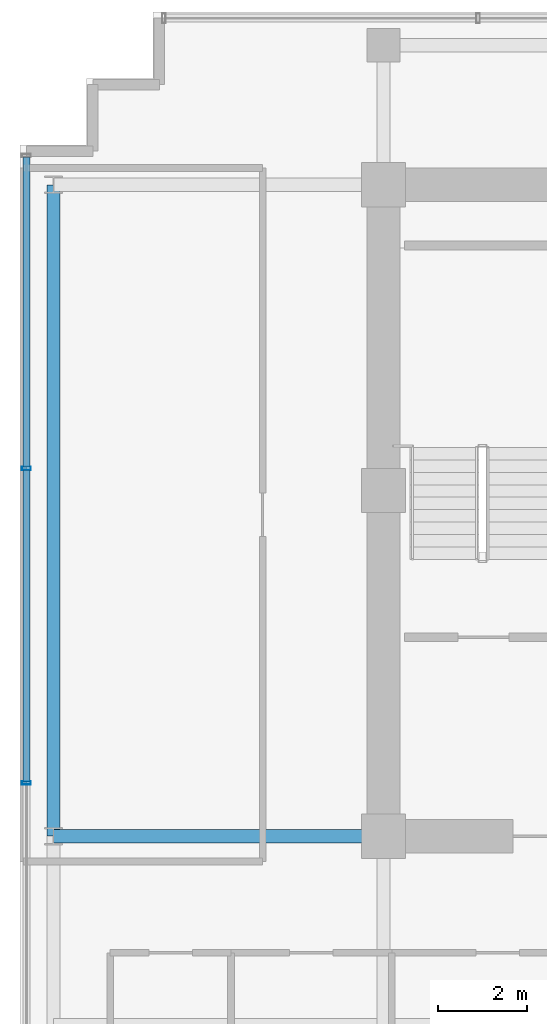
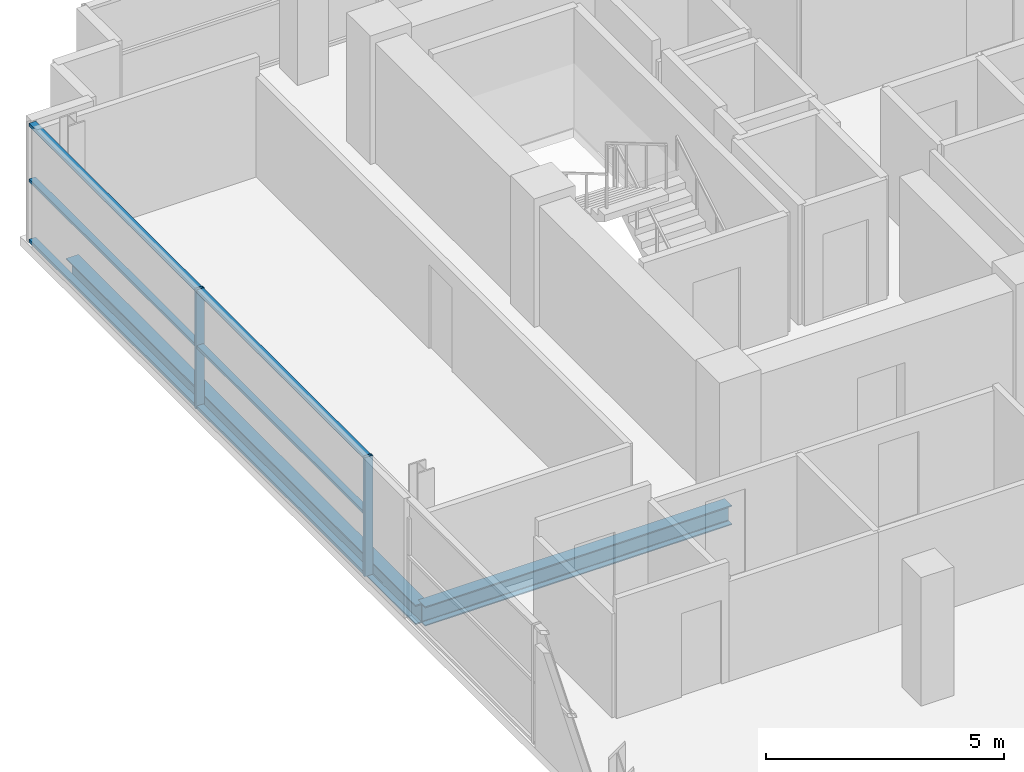
# One storey, part 7 of 21: 8 members, 2 beams, 1 element without a shape of its own.
"""IFC4 building model written with IfcOpenShell, lengths in metres."""

import ifcopenshell
import ifcopenshell.guid

model = None  # the IFC model being written
_history = None  # IfcOwnerHistory: only IFC2X3 demands one
_inside = {}  # id of a spatial element -> (the spatial element, [elements in it])
_under = {}  # id of a project, library or spatial element -> (it, [spatial elements below it])
_declared = {}  # id of a project -> (the project, [libraries it declares])
_typed = {}  # id of a type object -> (the type object, [elements of that type])
_made_of = {}  # id of a material, layer set ... -> (it, [elements and type objects made of it])


def new_model(schema):
    """Start an empty IFC model of exactly this schema.

    Asked for "IFC4X3", IfcOpenShell would pick the latest addendum, in which some entities
    have other attributes; the version numbers below select the first issue.
    IFC2X3 requires an IfcOwnerHistory on every rooted entity: one is made here for all.
    """
    global model, _history
    if schema == "IFC4X3":
        model = ifcopenshell.file(schema_version=(4, 3, 0, 0))
    else:
        model = ifcopenshell.file(schema=schema)
    _inside.clear()
    _under.clear()
    _declared.clear()
    _typed.clear()
    _made_of.clear()
    _history = None
    if model.schema == "IFC2X3":
        org = make("IfcOrganization", Name="unknown")
        user = make(
            "IfcPersonAndOrganization",
            ThePerson=make("IfcPerson", FamilyName="unknown"),
            TheOrganization=org,
        )
        app = make(
            "IfcApplication",
            ApplicationDeveloper=org,
            Version="unknown",
            ApplicationFullName="unknown",
            ApplicationIdentifier="unknown",
        )
        _history = make(
            "IfcOwnerHistory",
            OwningUser=user,
            OwningApplication=app,
            ChangeAction="ADDED",
            CreationDate=0,
        )
    return model


def make(cls, **values):
    """One entity of the class cls with the attributes given. An attribute that is None is left unset."""
    return model.create_entity(
        cls, **{name: value for name, value in values.items() if value is not None}
    )


def rooted(cls, **values):
    """An entity with a GlobalId (a new one), such as an element, a storey or a relation."""
    return make(cls, GlobalId=ifcopenshell.guid.new(), OwnerHistory=_history, **values)


def si_unit(unit_type, name, prefix=None):
    """IfcSIUnit, for example si_unit("LENGTHUNIT", "METRE", prefix="MILLI")."""
    return make("IfcSIUnit", UnitType=unit_type, Prefix=prefix, Name=name)


def assignment(units):
    """IfcUnitAssignment: the units of a project."""
    return None if units is None else make("IfcUnitAssignment", Units=units)


def point(xyz):
    """IfcCartesianPoint."""
    return None if xyz is None else make("IfcCartesianPoint", Coordinates=xyz)


def direction(xyz):
    """IfcDirection."""
    return None if xyz is None else make("IfcDirection", DirectionRatios=xyz)


def frame(location, z_axis=None, x_axis=None):
    """IfcAxis2Placement3D, a coordinate frame: its origin and axes. An axis left out is left unset."""
    return make(
        "IfcAxis2Placement3D",
        Location=point(location),
        Axis=direction(z_axis),
        RefDirection=direction(x_axis),
    )


def frame_2d(location, x_axis=None):
    """IfcAxis2Placement2D, a coordinate frame in the plane: its origin and x axis."""
    return make(
        "IfcAxis2Placement2D", Location=point(location), RefDirection=direction(x_axis)
    )


def origin():
    """The frame at (0, 0, 0) with its axes left unset."""
    return frame((0.0, 0.0, 0.0))


def origin_2d():
    """The frame at (0, 0) in the plane with its x axis left unset."""
    return frame_2d((0.0, 0.0))


def place(relative_to, where):
    """IfcLocalPlacement: puts the frame where relative to a parent placement (None: the world)."""
    return make(
        "IfcLocalPlacement", PlacementRelTo=relative_to, RelativePlacement=where
    )


def context(
    kind, dimensions, precision=None, world=None, true_north=None, identifier=None
):
    """IfcGeometricRepresentationContext, for example the 3D "Model" context."""
    return make(
        "IfcGeometricRepresentationContext",
        ContextIdentifier=identifier,
        ContextType=kind,
        CoordinateSpaceDimension=dimensions,
        Precision=precision,
        WorldCoordinateSystem=world,
        TrueNorth=true_north,
    )


def subcontext(parent, identifier, kind, view, scale=None):
    """IfcGeometricRepresentationSubContext, for example "Body" below "Model"."""
    return make(
        "IfcGeometricRepresentationSubContext",
        ContextIdentifier=identifier,
        ContextType=kind,
        ParentContext=parent,
        TargetScale=scale,
        TargetView=view,
    )


def project(units=None, contexts=None):
    """IfcProject with its units and contexts."""
    return rooted(
        "IfcProject",
        Name="project",
        RepresentationContexts=contexts,
        UnitsInContext=assignment(units),
    )


def spatial(cls, under=None, at=None, **own):
    """A site, building, storey or space (cls), placed at a placement, below another one or the project."""
    s = rooted(cls, ObjectPlacement=at, **own)
    if under is not None:
        _under.setdefault(under.id(), (under, []))[1].append(s)
    return s


def profile(cls, at=None, kind="AREA", **sizes):
    """A parametric profile (cls). Its sizes go by their IFC names, for example OverallWidth=200.0."""
    return make(cls, ProfileType=kind, Position=at, **sizes)


def hollow_rectangle(**sizes):
    """IfcRectangleHollowProfileDef."""
    return profile("IfcRectangleHollowProfileDef", **sizes)


def i_section(**sizes):
    """IfcIShapeProfileDef."""
    return profile("IfcIShapeProfileDef", **sizes)


def extrude(swept, where, along, depth):
    """IfcExtrudedAreaSolid: the profile swept, set in the frame where, extruded along a direction by depth."""
    return make(
        "IfcExtrudedAreaSolid",
        SweptArea=swept,
        Position=where,
        ExtrudedDirection=direction(along),
        Depth=depth,
    )


def shape(context_of_items, identifier, shape_type, items):
    """IfcShapeRepresentation: the items that make up one representation, for example the "Body"."""
    return make(
        "IfcShapeRepresentation",
        ContextOfItems=context_of_items,
        RepresentationIdentifier=identifier,
        RepresentationType=shape_type,
        Items=items,
    )


def source(mapping_origin, context_of_items, identifier, shape_type, items):
    """IfcRepresentationMap: a shape defined once, which mapped items show again and again."""
    return make(
        "IfcRepresentationMap",
        MappingOrigin=mapping_origin,
        MappedRepresentation=shape(context_of_items, identifier, shape_type, items),
    )


def transform(
    local_origin,
    x_axis=None,
    y_axis=None,
    z_axis=None,
    scale=None,
    scale2=None,
    scale3=None,
    uniform=True,
):
    """IfcCartesianTransformationOperator3D, or its non-uniform kind. x_axis, y_axis, z_axis: its Axis1, 2, 3."""
    if uniform:
        return make(
            "IfcCartesianTransformationOperator3D",
            Axis1=direction(x_axis),
            Axis2=direction(y_axis),
            LocalOrigin=point(local_origin),
            Scale=scale,
            Axis3=direction(z_axis),
        )
    return make(
        "IfcCartesianTransformationOperator3DnonUniform",
        Axis1=direction(x_axis),
        Axis2=direction(y_axis),
        LocalOrigin=point(local_origin),
        Scale=scale,
        Axis3=direction(z_axis),
        Scale2=scale2,
        Scale3=scale3,
    )


def mapped(mapping_source, mapping_target):
    """IfcMappedItem: shows the shape of a source again, moved by a transform."""
    return make(
        "IfcMappedItem", MappingSource=mapping_source, MappingTarget=mapping_target
    )


def material(Name=None, Category=None):
    """IfcMaterial."""
    return make("IfcMaterial", Name=Name, Category=Category)


def layer(
    of_material, thickness, ventilated=None, Name=None, Category=None, Priority=None
):
    """IfcMaterialLayer: one layer of a wall or slab, of a material (None: an air gap)."""
    return make(
        "IfcMaterialLayer",
        Material=of_material,
        LayerThickness=thickness,
        IsVentilated=ventilated,
        Name=Name,
        Category=Category,
        Priority=Priority,
    )


def layer_set(layers, Name=None):
    """IfcMaterialLayerSet."""
    return make("IfcMaterialLayerSet", MaterialLayers=layers, LayerSetName=Name)


def material_profile(
    of_material, cross_section, Name=None, Category=None, Priority=None
):
    """IfcMaterialProfile: a cross section and its material."""
    return make(
        "IfcMaterialProfile",
        Name=Name,
        Material=of_material,
        Profile=cross_section,
        Priority=Priority,
        Category=Category,
    )


def profile_set(profiles, Name=None, composite=None):
    """IfcMaterialProfileSet."""
    return make(
        "IfcMaterialProfileSet",
        Name=Name,
        MaterialProfiles=profiles,
        CompositeProfile=composite,
    )


def made_of(thing, what):
    """Note that an element or type object is made of a material, layer set ...; save() writes the relation."""
    if what is not None:
        _made_of.setdefault(what.id(), (what, []))[1].append(thing)
    return thing


def type_object(cls, material=None, **own):
    """A type object (cls), such as IfcWallType, which elements share."""
    return made_of(rooted(cls, **own), material)


def element(
    cls,
    number,
    at=None,
    inside=None,
    cuts=None,
    type_object=None,
    material=None,
    context=None,
    identifier="Body",
    shape_type=None,
    held_by="IfcProductDefinitionShape",
    body=None,
    shapes=None,
    **own,
):
    """One element of the class cls, such as IfcWall. Its Tag is "e" and its number.

    at: its placement. inside: the storey or other place that contains it. cuts: it is an
    opening in that element (IfcRelVoidsElement). A single representation is given by context,
    identifier, shape_type and body (its items); several are given by shapes. held_by: the class
    of the entity that holds the representations. save() writes the other relations.
    """
    e = rooted(cls, Tag="e%d" % number, ObjectPlacement=at, **own)
    if body is not None:
        shapes = [shape(context, identifier, shape_type, body)]
    if shapes is not None:
        e.Representation = make(held_by, Representations=shapes)
    if inside is not None:
        _inside.setdefault(inside.id(), (inside, []))[1].append(e)
    if cuts is not None:
        rooted(
            "IfcRelVoidsElement", RelatingBuildingElement=cuts, RelatedOpeningElement=e
        )
    if type_object is not None:
        _typed.setdefault(type_object.id(), (type_object, []))[1].append(e)
    return made_of(e, material)


def aggregate(whole, parts):
    """IfcRelAggregates: a whole, such as a stair, and the parts it consists of."""
    return rooted("IfcRelAggregates", RelatingObject=whole, RelatedObjects=parts)


def save(model, path):
    """Write the relations noted so far, then the file.

    IfcRelAggregates (storeys below a building ...), IfcRelContainedInSpatialStructure (elements
    in a storey), IfcRelDefinesByType, IfcRelAssociatesMaterial and IfcRelDeclares: one each for
    every whole, place, type object, material and project.
    """
    for whole, parts in _under.values():
        aggregate(whole, parts)
    for where, things in _inside.values():
        rooted(
            "IfcRelContainedInSpatialStructure",
            RelatedElements=things,
            RelatingStructure=where,
        )
    for kind, things in _typed.values():
        rooted("IfcRelDefinesByType", RelatedObjects=things, RelatingType=kind)
    for what, things in _made_of.values():
        rooted("IfcRelAssociatesMaterial", RelatedObjects=things, RelatingMaterial=what)
    for by, libraries in _declared.values():
        rooted("IfcRelDeclares", RelatingContext=by, RelatedDefinitions=libraries)
    model.write(path)


model = new_model("IFC4")

# Units and contexts
model_context = context("Model", 3, precision=1e-05, world=origin(), true_north=direction((0.0, 1.0)))
body_context = subcontext(model_context, "Body", "Model", "MODEL_VIEW")
ifc_project = project(units=[si_unit("LENGTHUNIT", "METRE"), si_unit("AREAUNIT", "SQUARE_METRE"), si_unit("VOLUMEUNIT", "CUBIC_METRE"), si_unit("PLANEANGLEUNIT", "RADIAN"), si_unit("MASSUNIT", "GRAM", prefix="KILO")], contexts=[model_context])

# Site, building, storey
site_placement = place(None, origin())
site = spatial("IfcSite", under=ifc_project, at=site_placement, CompositionType="ELEMENT")
building_placement = place(site_placement, origin())
building = spatial("IfcBuilding", under=site, at=building_placement, Name="Zarnakvel Exchange Tower", CompositionType="ELEMENT")
storey_placement = place(building_placement, frame((0.0, 0.0, 189.10009765625)))
storey = spatial("IfcBuildingStorey", under=building, at=storey_placement, Name="L53", CompositionType="ELEMENT", Elevation=189.10009765625)

# Beams
ifc_material_1 = material(Name="Steel S355", Category="steel")
ifc_material_profile_1 = material_profile(ifc_material_1, i_section(OverallWidth=0.300048828125, OverallDepth=0.5, WebThickness=0.014404296875, FlangeThickness=0.028076171875, FilletRadius=0.027099609375, at=origin_2d()))
ifc_profile_set_1 = profile_set([ifc_material_profile_1], Name="Steel S355")
beam_type_1 = type_object("IfcBeamType", Name="G-06", PredefinedType="BEAM", material=ifc_profile_set_1)
beam_1_placement = place(storey_placement, frame((-21.85009765625, -1.199951171875, -0.47509765625), z_axis=(1.0, 0.0, 0.0), x_axis=(0.0, 1.0, 0.0)))
element("IfcBeam", 1, at=beam_1_placement, inside=storey, type_object=beam_type_1, Name="L53 Tower E-W Frame Beam", PredefinedType="BEAM", context=body_context, shape_type="SweptSolid", body=[
    extrude(i_section(OverallWidth=0.300048828125, OverallDepth=0.5, WebThickness=0.014404296875, FlangeThickness=0.028076171875, FilletRadius=0.027099609375, at=origin_2d()), origin(), (0.0, 0.0, 1.0), 7.4501953125),
])
ifc_material_profile_2 = material_profile(ifc_material_1, i_section(OverallWidth=0.300048828125, OverallDepth=0.5, WebThickness=0.014404296875, FlangeThickness=0.028076171875, FilletRadius=0.027099609375, at=origin_2d()))
ifc_profile_set_2 = profile_set([ifc_material_profile_2], Name="Steel S355")
beam_type_2 = type_object("IfcBeamType", Name="SP-02", PredefinedType="SPANDREL", material=ifc_profile_set_2)
beam_2_placement = place(storey_placement, frame((-21.85009765625, -1.199951171875, -0.47509765625), z_axis=(0.0, 1.0, 0.0), x_axis=(-1.0, 0.0, 0.0)))
element("IfcBeam", 2, at=beam_2_placement, inside=storey, type_object=beam_type_2, Name="L53 Tower N-S Frame Beam", PredefinedType="SPANDREL", context=body_context, shape_type="SweptSolid", body=[
    extrude(i_section(OverallWidth=0.300048828125, OverallDepth=0.5, WebThickness=0.014404296875, FlangeThickness=0.028076171875, FilletRadius=0.027099609375, at=origin_2d()), origin(), (0.0, 0.0, 1.0), 14.699951171875),
])

# Curtain wall, members
ifc_material_2 = material(Name="Architectural Bronze Anodised Aluminium", Category="aluminium")
ifc_layer = layer(ifc_material_2, 0.199951171875)
ifc_layer_set = layer_set([ifc_layer], Name="Architectural Bronze Anodised Aluminium")
curtain_wall_type = type_object("IfcCurtainWallType", Name="CW-04", PredefinedType="NOTDEFINED", material=ifc_layer_set)
curtain_wall_placement = place(storey_placement, origin())
curtain_wall = element("IfcCurtainWall", 3, at=curtain_wall_placement, inside=storey, type_object=curtain_wall_type, Name="L53 Curtain Wall CW-L53-W1 (CW-04)", PredefinedType="NOTDEFINED")
ifc_material_profile_3 = material_profile(ifc_material_2, hollow_rectangle(XDim=0.199951171875, YDim=0.074951171875, WallThickness=0.0048828125, at=origin_2d()))
ifc_profile_set_3 = profile_set([ifc_material_profile_3], Name="Architectural Bronze Anodised Aluminium")
member_type_1 = type_object("IfcMemberType", Name="CWM-04", PredefinedType="MULLION", material=ifc_profile_set_3)
shared_shape_1 = source(origin(), body_context, "Body", "SweptSolid", [
    extrude(hollow_rectangle(XDim=0.199951171875, YDim=0.074951171875, WallThickness=0.0048828125, at=origin_2d()), origin(), (0.0, 0.0, 1.0), 3.054931640625),
])
member_1_placement = place(storey_placement, frame((-22.4599609375, 0.0, 0.0), z_axis=(0.0, 0.0, 1.0), x_axis=(-1.0, 0.0, 0.0)))
member_1 = element("IfcMember", 4, at=member_1_placement, type_object=member_type_1, Name="CW-04 mullion 3", PredefinedType="MULLION", context=body_context, shape_type="MappedRepresentation", body=[
    mapped(shared_shape_1, transform((0.0, 0.0, 0.0), x_axis=(1.0, 0.0, 0.0), y_axis=(0.0, 1.0, 0.0), z_axis=(0.0, 0.0, 1.0), scale=1.0)),
])
member_2_placement = place(storey_placement, frame((-22.4599609375, 7.10009765625, 0.0), z_axis=(0.0, 0.0, 1.0), x_axis=(-1.0, 0.0, 0.0)))
member_2 = element("IfcMember", 5, at=member_2_placement, type_object=member_type_1, Name="CW-04 mullion 4", PredefinedType="MULLION", context=body_context, shape_type="MappedRepresentation", body=[
    mapped(shared_shape_1, transform((0.0, 0.0, 0.0), x_axis=(1.0, 0.0, 0.0), y_axis=(0.0, 1.0, 0.0), z_axis=(0.0, 0.0, 1.0), scale=1.0)),
])
ifc_material_profile_4 = material_profile(ifc_material_2, hollow_rectangle(XDim=0.159912109375, YDim=0.074951171875, WallThickness=0.00390625, at=origin_2d()))
ifc_profile_set_4 = profile_set([ifc_material_profile_4], Name="Architectural Bronze Anodised Aluminium")
member_type_2 = type_object("IfcMemberType", Name="CWT-04", PredefinedType="USERDEFINED", material=ifc_profile_set_4)
shared_shape_2 = source(origin(), body_context, "Body", "SweptSolid", [
    extrude(hollow_rectangle(XDim=0.159912109375, YDim=0.074951171875, WallThickness=0.00390625, at=origin_2d()), origin(), (0.0, 0.0, 1.0), 6.987548828125),
])
member_3_placement = place(storey_placement, frame((-22.4599609375, 7.137451171875, 0.037353515625), z_axis=(0.0, 1.0, 0.0), x_axis=(-1.0, 0.0, 0.0)))
member_3 = element("IfcMember", 6, at=member_3_placement, type_object=member_type_2, Name="CW-04 transom 4.1", ObjectType="TRANSOM", PredefinedType="USERDEFINED", context=body_context, shape_type="MappedRepresentation", body=[
    mapped(shared_shape_2, transform((0.0, 0.0, 0.0), x_axis=(1.0, 0.0, 0.0), y_axis=(0.0, 1.0, 0.0), z_axis=(0.0, 0.0, 1.0), scale=1.0)),
])
member_4_placement = place(storey_placement, frame((-22.4599609375, 7.137451171875, 1.588623046875), z_axis=(0.0, 1.0, 0.0), x_axis=(-1.0, 0.0, 0.0)))
member_4 = element("IfcMember", 7, at=member_4_placement, type_object=member_type_2, Name="CW-04 transom 4.2", ObjectType="TRANSOM", PredefinedType="USERDEFINED", context=body_context, shape_type="MappedRepresentation", body=[
    mapped(shared_shape_2, transform((0.0, 0.0, 0.0), x_axis=(1.0, 0.0, 0.0), y_axis=(0.0, 1.0, 0.0), z_axis=(0.0, 0.0, 1.0), scale=1.0)),
])
member_5_placement = place(storey_placement, frame((-22.4599609375, 7.137451171875, 3.017333984375), z_axis=(0.0, 1.0, 0.0), x_axis=(-1.0, 0.0, 0.0)))
member_5 = element("IfcMember", 8, at=member_5_placement, type_object=member_type_2, Name="CW-04 transom 4.3", ObjectType="TRANSOM", PredefinedType="USERDEFINED", context=body_context, shape_type="MappedRepresentation", body=[
    mapped(shared_shape_2, transform((0.0, 0.0, 0.0), x_axis=(1.0, 0.0, 0.0), y_axis=(0.0, 1.0, 0.0), z_axis=(0.0, 0.0, 1.0), scale=1.0)),
])
shared_shape_3 = source(origin(), body_context, "Body", "SweptSolid", [
    extrude(hollow_rectangle(XDim=0.159912109375, YDim=0.074951171875, WallThickness=0.00390625, at=origin_2d()), origin(), (0.0, 0.0, 1.0), 7.02490234375),
])
member_6_placement = place(storey_placement, frame((-22.4599609375, 0.03759765625, 0.037353515625), z_axis=(0.0, 1.0, 0.0), x_axis=(-1.0, 0.0, 0.0)))
member_6 = element("IfcMember", 9, at=member_6_placement, type_object=member_type_2, Name="CW-04 transom 3.1", ObjectType="TRANSOM", PredefinedType="USERDEFINED", context=body_context, shape_type="MappedRepresentation", body=[
    mapped(shared_shape_3, transform((0.0, 0.0, 0.0), x_axis=(1.0, 0.0, 0.0), y_axis=(0.0, 1.0, 0.0), z_axis=(0.0, 0.0, 1.0), scale=1.0)),
])
member_7_placement = place(storey_placement, frame((-22.4599609375, 0.03759765625, 1.588623046875), z_axis=(0.0, 1.0, 0.0), x_axis=(-1.0, 0.0, 0.0)))
member_7 = element("IfcMember", 10, at=member_7_placement, type_object=member_type_2, Name="CW-04 transom 3.2", ObjectType="TRANSOM", PredefinedType="USERDEFINED", context=body_context, shape_type="MappedRepresentation", body=[
    mapped(shared_shape_3, transform((0.0, 0.0, 0.0), x_axis=(1.0, 0.0, 0.0), y_axis=(0.0, 1.0, 0.0), z_axis=(0.0, 0.0, 1.0), scale=1.0)),
])
member_8_placement = place(storey_placement, frame((-22.4599609375, 0.03759765625, 3.017333984375), z_axis=(0.0, 1.0, 0.0), x_axis=(-1.0, 0.0, 0.0)))
member_8 = element("IfcMember", 11, at=member_8_placement, type_object=member_type_2, Name="CW-04 transom 3.3", ObjectType="TRANSOM", PredefinedType="USERDEFINED", context=body_context, shape_type="MappedRepresentation", body=[
    mapped(shared_shape_3, transform((0.0, 0.0, 0.0), x_axis=(1.0, 0.0, 0.0), y_axis=(0.0, 1.0, 0.0), z_axis=(0.0, 0.0, 1.0), scale=1.0)),
])
aggregate(curtain_wall, [member_1, member_2, member_6, member_7, member_8, member_3, member_4, member_5])

save(model, "model.ifc")
